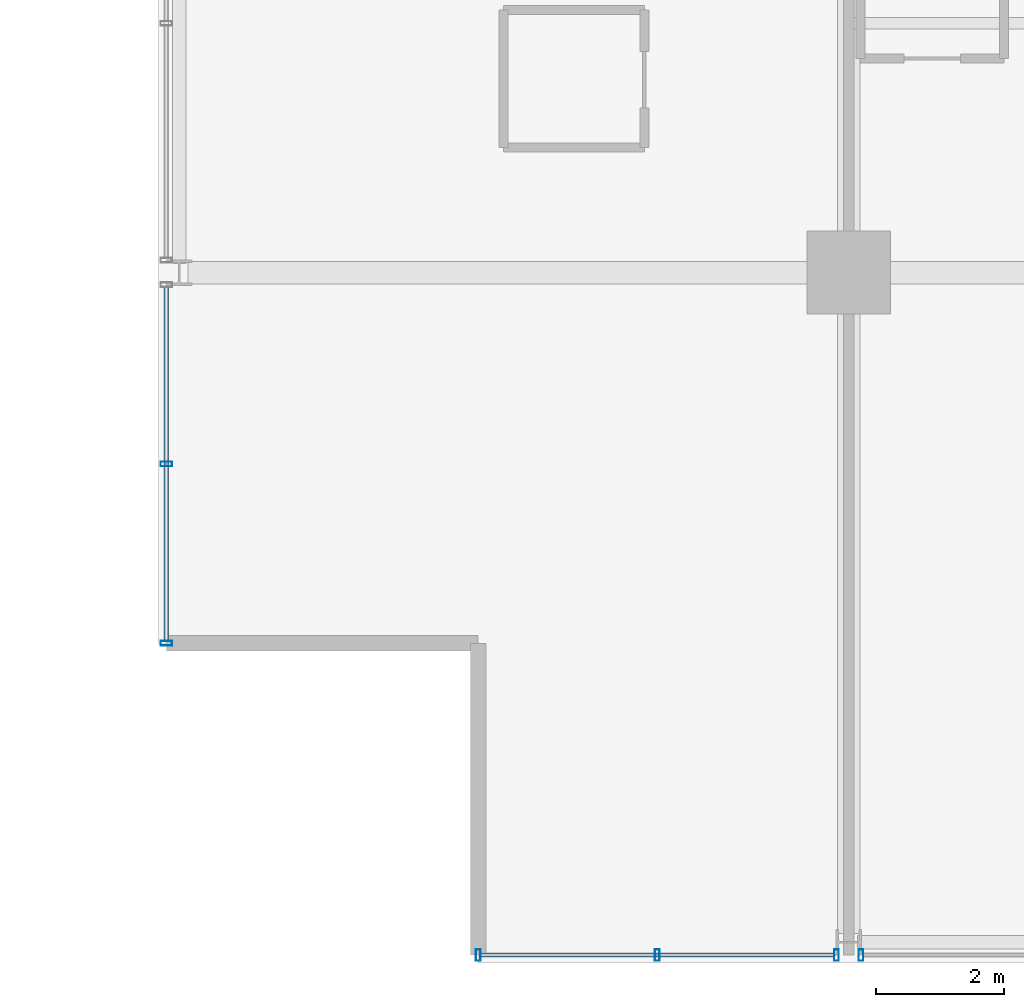
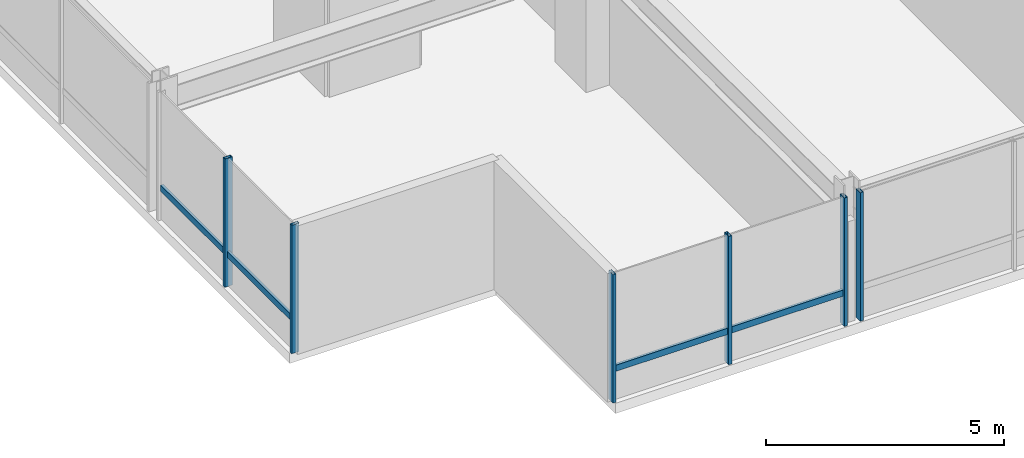
# One storey, part 2 of 31: 8 members, 3 elements without a shape of their own.
"""IFC4 building model written with IfcOpenShell, lengths in metres."""

from ifc_helpers import new_model, si_unit, direction, frame, origin, origin_2d, place, context, subcontext, project, spatial, hollow_rectangle, extrude, material, layer, layer_set, material_profile, profile_set, type_object, element, aggregate, save


model = new_model("IFC4")

# Units and contexts
model_context = context("Model", 3, precision=1e-05, world=origin(), true_north=direction((0.0, 1.0)))
body_context = subcontext(model_context, "Body", "Model", "MODEL_VIEW")
ifc_project = project(units=[si_unit("LENGTHUNIT", "METRE"), si_unit("AREAUNIT", "SQUARE_METRE"), si_unit("VOLUMEUNIT", "CUBIC_METRE"), si_unit("PLANEANGLEUNIT", "RADIAN"), si_unit("MASSUNIT", "GRAM", prefix="KILO")], contexts=[model_context])

# Site, building, storey
site_placement = place(None, origin())
site = spatial("IfcSite", under=ifc_project, at=site_placement, CompositionType="ELEMENT")
building_placement = place(site_placement, origin())
building = spatial("IfcBuilding", under=site, at=building_placement, Name="Drelvath Grand Hotel", CompositionType="ELEMENT")
storey_placement = place(building_placement, frame((0.0, 0.0, 185.89990234375)))
storey = spatial("IfcBuildingStorey", under=building, at=storey_placement, Name="L48", CompositionType="ELEMENT", Elevation=185.89990234375)

# Curtain wall, member
ifc_material = material(Name="Brushed Pale-Silver Anodised Aluminium Frame", Category="aluminium")
ifc_layer = layer(ifc_material, 0.199951171875)
ifc_layer_set = layer_set([ifc_layer], Name="Brushed Pale-Silver Anodised Aluminium Frame")
curtain_wall_type = type_object("IfcCurtainWallType", Name="Stick Curtain Wall CW-04 Brushed Silver Upper-Mid", PredefinedType="NOTDEFINED", material=ifc_layer_set)
curtain_wall_1_placement = place(storey_placement, origin())
curtain_wall_1 = element("IfcCurtainWall", 1, at=curtain_wall_1_placement, inside=storey, type_object=curtain_wall_type, Name="L48 CW-04 Curtain Wall CW04-L48-WS1", PredefinedType="NOTDEFINED")
ifc_material_profile_1 = material_profile(ifc_material, hollow_rectangle(XDim=0.06494140625, YDim=0.159912109375, WallThickness=0.00390625, at=origin_2d()), Name="HSS160X65X4")
ifc_profile_set_1 = profile_set([ifc_material_profile_1], Name="Brushed Pale-Silver Anodised Aluminium Frame")
member_type_1 = type_object("IfcMemberType", Name="Curtain Wall Horizontal Transom CW-04 HSS160X65X4", PredefinedType="USERDEFINED", material=ifc_profile_set_1)
member_1_placement = place(storey_placement, frame((-26.8798828125, 5.0400390625, 0.822509765625), z_axis=(0.0, 1.0, 0.0), x_axis=(-1.0, 0.0, 0.0)))
member_1 = element("IfcMember", 2, at=member_1_placement, type_object=member_type_1, Name="CW04-L48-WS1 Sill Transom", ObjectType="TRANSOM", PredefinedType="USERDEFINED", context=body_context, shape_type="SweptSolid", body=[
    extrude(hollow_rectangle(XDim=0.06494140625, YDim=0.159912109375, WallThickness=0.00390625, at=origin_2d()), origin(), (0.0, 0.0, 1.0), 5.5283203125),
])

curtain_wall_2_placement = place(storey_placement, origin())
curtain_wall_2 = element("IfcCurtainWall", 3, at=curtain_wall_2_placement, inside=storey, type_object=curtain_wall_type, Name="L48 CW-04 Curtain Wall CW04-L48-SW1", PredefinedType="NOTDEFINED")
member_2_placement = place(storey_placement, frame((-16.431640625, 0.1201171875, 0.822509765625), z_axis=(-1.0, 0.0, 0.0), x_axis=(0.0, -1.0, 0.0)))
member_2 = element("IfcMember", 4, at=member_2_placement, type_object=member_type_1, Name="CW04-L48-SW1 Sill Transom", ObjectType="TRANSOM", PredefinedType="USERDEFINED", context=body_context, shape_type="SweptSolid", body=[
    extrude(hollow_rectangle(XDim=0.06494140625, YDim=0.159912109375, WallThickness=0.00390625, at=origin_2d()), origin(), (0.0, 0.0, 1.0), 5.5283203125),
])

# Member
ifc_material_profile_2 = material_profile(ifc_material, hollow_rectangle(XDim=0.074951171875, YDim=0.179931640625, WallThickness=0.0048828125, at=origin_2d()), Name="HSS180X75X5")
ifc_profile_set_2 = profile_set([ifc_material_profile_2], Name="Brushed Pale-Silver Anodised Aluminium Frame")
member_type_2 = type_object("IfcMemberType", Name="Curtain Wall Vertical Mullion CW-04 HSS180X75X5", PredefinedType="MULLION", material=ifc_profile_set_2)
member_3_placement = place(storey_placement, frame((-26.8798828125, 5.0, 0.0), z_axis=(0.0, 0.0, 1.0), x_axis=(0.0, 1.0, 0.0)))
member_3 = element("IfcMember", 5, at=member_3_placement, type_object=member_type_2, Name="CW04-L48-WS1 Mullion 1", PredefinedType="MULLION", context=body_context, shape_type="SweptSolid", body=[
    extrude(hollow_rectangle(XDim=0.074951171875, YDim=0.179931640625, WallThickness=0.0048828125, at=origin_2d()), origin(), (0.0, 0.0, 1.0), 3.2900390625),
])

member_4_placement = place(storey_placement, frame((-26.8798828125, 7.80419921875, 0.0), z_axis=(0.0, 0.0, 1.0), x_axis=(0.0, 1.0, 0.0)))
member_4 = element("IfcMember", 6, at=member_4_placement, type_object=member_type_2, Name="CW04-L48-WS1 Mullion 2", PredefinedType="MULLION", context=body_context, shape_type="SweptSolid", body=[
    extrude(hollow_rectangle(XDim=0.074951171875, YDim=0.179931640625, WallThickness=0.0048828125, at=origin_2d()), origin(), (0.0, 0.0, 1.0), 3.2900390625),
])

aggregate(curtain_wall_1, [member_3, member_4, member_1])

member_5_placement = place(storey_placement, frame((-16.3916015625, 0.1201171875, 0.0), z_axis=(0.0, 0.0, 1.0), x_axis=(1.0, 0.0, 0.0)))
member_5 = element("IfcMember", 7, at=member_5_placement, type_object=member_type_2, Name="CW04-L48-SW1 Mullion 1", PredefinedType="MULLION", context=body_context, shape_type="SweptSolid", body=[
    extrude(hollow_rectangle(XDim=0.074951171875, YDim=0.179931640625, WallThickness=0.0048828125, at=origin_2d()), origin(), (0.0, 0.0, 1.0), 3.2900390625),
])

member_6_placement = place(storey_placement, frame((-19.19580078125, 0.1201171875, 0.0), z_axis=(0.0, 0.0, 1.0), x_axis=(1.0, 0.0, 0.0)))
member_6 = element("IfcMember", 8, at=member_6_placement, type_object=member_type_2, Name="CW04-L48-SW1 Mullion 2", PredefinedType="MULLION", context=body_context, shape_type="SweptSolid", body=[
    extrude(hollow_rectangle(XDim=0.074951171875, YDim=0.179931640625, WallThickness=0.0048828125, at=origin_2d()), origin(), (0.0, 0.0, 1.0), 3.2900390625),
])

member_7_placement = place(storey_placement, frame((-22.0, 0.1201171875, 0.0), z_axis=(0.0, 0.0, 1.0), x_axis=(1.0, 0.0, 0.0)))
member_7 = element("IfcMember", 9, at=member_7_placement, type_object=member_type_2, Name="CW04-L48-SW1 Mullion 3", PredefinedType="MULLION", context=body_context, shape_type="SweptSolid", body=[
    extrude(hollow_rectangle(XDim=0.074951171875, YDim=0.179931640625, WallThickness=0.0048828125, at=origin_2d()), origin(), (0.0, 0.0, 1.0), 3.2900390625),
])

aggregate(curtain_wall_2, [member_5, member_6, member_7, member_2])

# Curtain wall, member
curtain_wall_3_placement = place(storey_placement, origin())
curtain_wall_3 = element("IfcCurtainWall", 10, at=curtain_wall_3_placement, inside=storey, type_object=curtain_wall_type, Name="L48 CW-04 Curtain Wall CW04-L48-SW2", PredefinedType="NOTDEFINED")
member_8_placement = place(storey_placement, frame((-16.00830078125, 0.1201171875, 0.0), z_axis=(0.0, 0.0, 1.0), x_axis=(1.0, 0.0, 0.0)))
member_8 = element("IfcMember", 11, at=member_8_placement, type_object=member_type_2, Name="CW04-L48-SW2 Mullion 3", PredefinedType="MULLION", context=body_context, shape_type="SweptSolid", body=[
    extrude(hollow_rectangle(XDim=0.074951171875, YDim=0.179931640625, WallThickness=0.0048828125, at=origin_2d()), origin(), (0.0, 0.0, 1.0), 3.2900390625),
])
aggregate(curtain_wall_3, [member_8])

save(model, "model.ifc")
